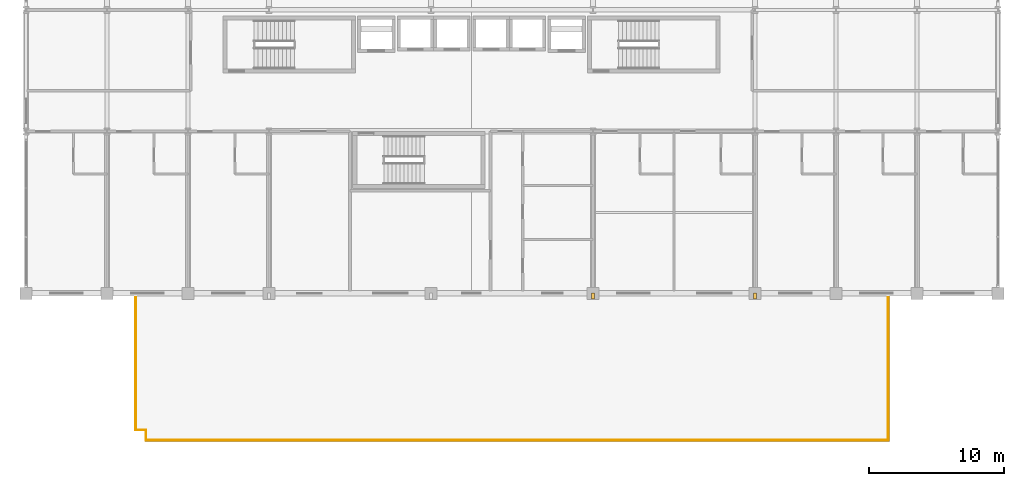
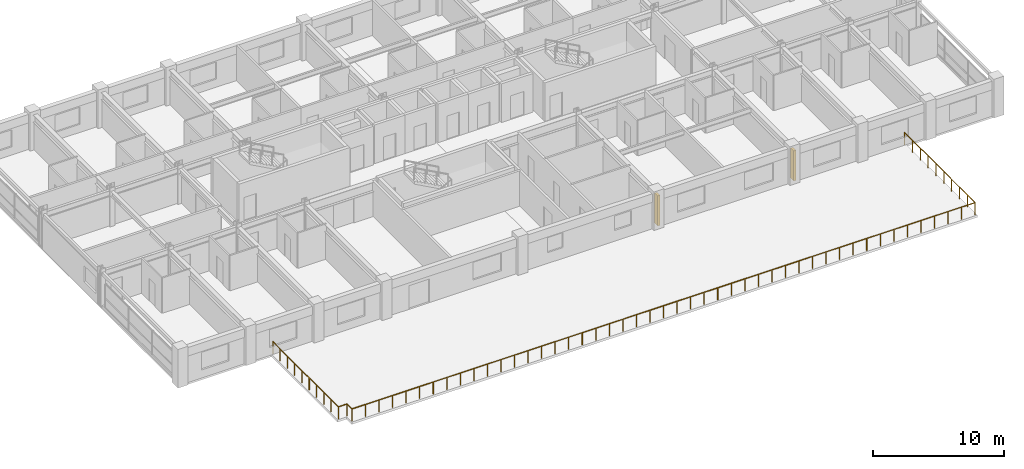
# One storey, part 23 of 24: 2 shading devices, 1 railing.
"""IFC4 building model written with IfcOpenShell, lengths in metres."""

from ifc_helpers import new_model, si_unit, direction, frame, origin, origin_2d, place, context, subcontext, project, spatial, rectangle, circle, extrude, material, type_object, element, save


model = new_model("IFC4")

# Units and contexts
model_context = context("Model", 3, precision=1e-05, world=origin(), true_north=direction((0.0, 1.0)))
body_context = subcontext(model_context, "Body", "Model", "MODEL_VIEW")
ifc_project = project(units=[si_unit("LENGTHUNIT", "METRE"), si_unit("AREAUNIT", "SQUARE_METRE"), si_unit("VOLUMEUNIT", "CUBIC_METRE"), si_unit("PLANEANGLEUNIT", "RADIAN"), si_unit("MASSUNIT", "GRAM", prefix="KILO")], contexts=[model_context])

# Site, building, storey
site_placement = place(None, origin())
site = spatial("IfcSite", under=ifc_project, at=site_placement, CompositionType="ELEMENT")
building_placement = place(site_placement, origin())
building = spatial("IfcBuilding", under=site, at=building_placement, Name="Kaldorvane Square Convention Centre", CompositionType="ELEMENT")
storey_placement = place(building_placement, frame((0.0, 0.0, 27.600006103515625)))
storey = spatial("IfcBuildingStorey", under=building, at=storey_placement, Name="L05", CompositionType="ELEMENT", Elevation=27.600006103515625)

# Railing
ifc_material_1 = material(Name="Architectural Painted Steel", Category="steel")
railing_type = type_object("IfcRailingType", Name="RL-TERR-1150", PredefinedType="BALUSTRADE", material=ifc_material_1)
railing_placement = place(storey_placement, frame((32.1199951171875, 83.89999389648438, 0.0)))
element("IfcRailing", 1, at=railing_placement, inside=storey, type_object=railing_type, Name="L05 Planted Podium Terrace Perimeter Guard", PredefinedType="BALUSTRADE", context=body_context, shape_type="SweptSolid", body=[
    extrude(circle(Radius=0.0240020751953125, at=origin_2d()), frame((0.0, 0.0, 1.1259918212890625), z_axis=(0.0, -1.0, 0.0), x_axis=(1.0, 0.0, 0.0)), (0.0, 0.0, 1.0), 10.019989013671875),
    extrude(circle(Radius=0.0240020751953125, at=origin_2d()), frame((0.0, -10.019989013671875, 1.1259918212890625), z_axis=(1.0, 0.0, 0.0), x_axis=(0.0, 1.0, 0.0)), (0.0, 0.0, 1.0), 0.760009765625),
    extrude(circle(Radius=0.0240020751953125, at=origin_2d()), frame((0.760009765625, -10.019989013671875, 1.1259918212890625), z_axis=(0.0, -1.0, 0.0), x_axis=(1.0, 0.0, 0.0)), (0.0, 0.0, 1.0), 0.760009765625),
    extrude(circle(Radius=0.0240020751953125, at=origin_2d()), frame((0.760009765625, -10.779998779296875, 1.1259918212890625), z_axis=(1.0, 0.0, 0.0), x_axis=(0.0, 1.0, 0.0)), (0.0, 0.0, 1.0), 55.0),
    extrude(circle(Radius=0.0240020751953125, at=origin_2d()), frame((55.760009765625, -10.779998779296875, 1.1259918212890625), z_axis=(0.0, 1.0, 0.0), x_axis=(-1.0, 0.0, 0.0)), (0.0, 0.0, 1.0), 10.779998779296875),
    extrude(circle(Radius=0.02099609375, at=origin_2d()), origin(), (0.0, 0.0, 1.0), 1.10198974609375),
    extrude(circle(Radius=0.02099609375, at=origin_2d()), frame((0.0, -1.1133270263671875, 0.0)), (0.0, 0.0, 1.0), 1.10198974609375),
    extrude(circle(Radius=0.02099609375, at=origin_2d()), frame((0.0, -2.2266693115234375, 0.0)), (0.0, 0.0, 1.0), 1.10198974609375),
    extrude(circle(Radius=0.02099609375, at=origin_2d()), frame((0.0, -3.339996337890625, 0.0)), (0.0, 0.0, 1.0), 1.10198974609375),
    extrude(circle(Radius=0.02099609375, at=origin_2d()), frame((0.0, -4.4533233642578125, 0.0)), (0.0, 0.0, 1.0), 1.10198974609375),
    extrude(circle(Radius=0.02099609375, at=origin_2d()), frame((0.0, -5.5666656494140625, 0.0)), (0.0, 0.0, 1.0), 1.10198974609375),
    extrude(circle(Radius=0.02099609375, at=origin_2d()), frame((0.0, -6.67999267578125, 0.0)), (0.0, 0.0, 1.0), 1.10198974609375),
    extrude(circle(Radius=0.02099609375, at=origin_2d()), frame((0.0, -7.7933197021484375, 0.0)), (0.0, 0.0, 1.0), 1.10198974609375),
    extrude(circle(Radius=0.02099609375, at=origin_2d()), frame((0.0, -8.906661987304688, 0.0)), (0.0, 0.0, 1.0), 1.10198974609375),
    extrude(circle(Radius=0.02099609375, at=origin_2d()), frame((0.0, -10.019989013671875, 0.0)), (0.0, 0.0, 1.0), 1.10198974609375),
    extrude(circle(Radius=0.02099609375, at=origin_2d()), frame((0.760009765625, -10.019989013671875, 0.0)), (0.0, 0.0, 1.0), 1.10198974609375),
    extrude(circle(Radius=0.02099609375, at=origin_2d()), frame((0.760009765625, -10.779998779296875, 0.0)), (0.0, 0.0, 1.0), 1.10198974609375),
    extrude(circle(Radius=0.02099609375, at=origin_2d()), frame((1.955657958984375, -10.779998779296875, 0.0)), (0.0, 0.0, 1.0), 1.10198974609375),
    extrude(circle(Radius=0.02099609375, at=origin_2d()), frame((3.1513214111328125, -10.779998779296875, 0.0)), (0.0, 0.0, 1.0), 1.10198974609375),
    extrude(circle(Radius=0.02099609375, at=origin_2d()), frame((4.3469696044921875, -10.779998779296875, 0.0)), (0.0, 0.0, 1.0), 1.10198974609375),
    extrude(circle(Radius=0.02099609375, at=origin_2d()), frame((5.5426177978515625, -10.779998779296875, 0.0)), (0.0, 0.0, 1.0), 1.10198974609375),
    extrude(circle(Radius=0.02099609375, at=origin_2d()), frame((6.7382659912109375, -10.779998779296875, 0.0)), (0.0, 0.0, 1.0), 1.10198974609375),
    extrude(circle(Radius=0.02099609375, at=origin_2d()), frame((7.933929443359375, -10.779998779296875, 0.0)), (0.0, 0.0, 1.0), 1.10198974609375),
    extrude(circle(Radius=0.02099609375, at=origin_2d()), frame((9.12957763671875, -10.779998779296875, 0.0)), (0.0, 0.0, 1.0), 1.10198974609375),
    extrude(circle(Radius=0.02099609375, at=origin_2d()), frame((10.325225830078125, -10.779998779296875, 0.0)), (0.0, 0.0, 1.0), 1.10198974609375),
    extrude(circle(Radius=0.02099609375, at=origin_2d()), frame((11.5208740234375, -10.779998779296875, 0.0)), (0.0, 0.0, 1.0), 1.10198974609375),
    extrude(circle(Radius=0.02099609375, at=origin_2d()), frame((12.716537475585938, -10.779998779296875, 0.0)), (0.0, 0.0, 1.0), 1.10198974609375),
    extrude(circle(Radius=0.02099609375, at=origin_2d()), frame((13.912185668945312, -10.779998779296875, 0.0)), (0.0, 0.0, 1.0), 1.10198974609375),
    extrude(circle(Radius=0.02099609375, at=origin_2d()), frame((15.107833862304688, -10.779998779296875, 0.0)), (0.0, 0.0, 1.0), 1.10198974609375),
    extrude(circle(Radius=0.02099609375, at=origin_2d()), frame((16.303482055664062, -10.779998779296875, 0.0)), (0.0, 0.0, 1.0), 1.10198974609375),
    extrude(circle(Radius=0.02099609375, at=origin_2d()), frame((17.4991455078125, -10.779998779296875, 0.0)), (0.0, 0.0, 1.0), 1.10198974609375),
    extrude(circle(Radius=0.02099609375, at=origin_2d()), frame((18.694793701171875, -10.779998779296875, 0.0)), (0.0, 0.0, 1.0), 1.10198974609375),
    extrude(circle(Radius=0.02099609375, at=origin_2d()), frame((19.89044189453125, -10.779998779296875, 0.0)), (0.0, 0.0, 1.0), 1.10198974609375),
    extrude(circle(Radius=0.02099609375, at=origin_2d()), frame((21.086090087890625, -10.779998779296875, 0.0)), (0.0, 0.0, 1.0), 1.10198974609375),
    extrude(circle(Radius=0.02099609375, at=origin_2d()), frame((22.281753540039062, -10.779998779296875, 0.0)), (0.0, 0.0, 1.0), 1.10198974609375),
    extrude(circle(Radius=0.02099609375, at=origin_2d()), frame((23.477401733398438, -10.779998779296875, 0.0)), (0.0, 0.0, 1.0), 1.10198974609375),
    extrude(circle(Radius=0.02099609375, at=origin_2d()), frame((24.673049926757812, -10.779998779296875, 0.0)), (0.0, 0.0, 1.0), 1.10198974609375),
    extrude(circle(Radius=0.02099609375, at=origin_2d()), frame((25.868698120117188, -10.779998779296875, 0.0)), (0.0, 0.0, 1.0), 1.10198974609375),
    extrude(circle(Radius=0.02099609375, at=origin_2d()), frame((27.064361572265625, -10.779998779296875, 0.0)), (0.0, 0.0, 1.0), 1.10198974609375),
    extrude(circle(Radius=0.02099609375, at=origin_2d()), frame((28.260009765625, -10.779998779296875, 0.0)), (0.0, 0.0, 1.0), 1.10198974609375),
    extrude(circle(Radius=0.02099609375, at=origin_2d()), frame((29.455657958984375, -10.779998779296875, 0.0)), (0.0, 0.0, 1.0), 1.10198974609375),
    extrude(circle(Radius=0.02099609375, at=origin_2d()), frame((30.651321411132812, -10.779998779296875, 0.0)), (0.0, 0.0, 1.0), 1.10198974609375),
    extrude(circle(Radius=0.02099609375, at=origin_2d()), frame((31.846969604492188, -10.779998779296875, 0.0)), (0.0, 0.0, 1.0), 1.10198974609375),
    extrude(circle(Radius=0.02099609375, at=origin_2d()), frame((33.04261779785156, -10.779998779296875, 0.0)), (0.0, 0.0, 1.0), 1.10198974609375),
    extrude(circle(Radius=0.02099609375, at=origin_2d()), frame((34.23826599121094, -10.779998779296875, 0.0)), (0.0, 0.0, 1.0), 1.10198974609375),
    extrude(circle(Radius=0.02099609375, at=origin_2d()), frame((35.433929443359375, -10.779998779296875, 0.0)), (0.0, 0.0, 1.0), 1.10198974609375),
    extrude(circle(Radius=0.02099609375, at=origin_2d()), frame((36.62957763671875, -10.779998779296875, 0.0)), (0.0, 0.0, 1.0), 1.10198974609375),
    extrude(circle(Radius=0.02099609375, at=origin_2d()), frame((37.825225830078125, -10.779998779296875, 0.0)), (0.0, 0.0, 1.0), 1.10198974609375),
    extrude(circle(Radius=0.02099609375, at=origin_2d()), frame((39.0208740234375, -10.779998779296875, 0.0)), (0.0, 0.0, 1.0), 1.10198974609375),
    extrude(circle(Radius=0.02099609375, at=origin_2d()), frame((40.21653747558594, -10.779998779296875, 0.0)), (0.0, 0.0, 1.0), 1.10198974609375),
    extrude(circle(Radius=0.02099609375, at=origin_2d()), frame((41.41218566894531, -10.779998779296875, 0.0)), (0.0, 0.0, 1.0), 1.10198974609375),
    extrude(circle(Radius=0.02099609375, at=origin_2d()), frame((42.60783386230469, -10.779998779296875, 0.0)), (0.0, 0.0, 1.0), 1.10198974609375),
    extrude(circle(Radius=0.02099609375, at=origin_2d()), frame((43.80348205566406, -10.779998779296875, 0.0)), (0.0, 0.0, 1.0), 1.10198974609375),
    extrude(circle(Radius=0.02099609375, at=origin_2d()), frame((44.9991455078125, -10.779998779296875, 0.0)), (0.0, 0.0, 1.0), 1.10198974609375),
    extrude(circle(Radius=0.02099609375, at=origin_2d()), frame((46.194793701171875, -10.779998779296875, 0.0)), (0.0, 0.0, 1.0), 1.10198974609375),
    extrude(circle(Radius=0.02099609375, at=origin_2d()), frame((47.39044189453125, -10.779998779296875, 0.0)), (0.0, 0.0, 1.0), 1.10198974609375),
    extrude(circle(Radius=0.02099609375, at=origin_2d()), frame((48.586090087890625, -10.779998779296875, 0.0)), (0.0, 0.0, 1.0), 1.10198974609375),
    extrude(circle(Radius=0.02099609375, at=origin_2d()), frame((49.78175354003906, -10.779998779296875, 0.0)), (0.0, 0.0, 1.0), 1.10198974609375),
    extrude(circle(Radius=0.02099609375, at=origin_2d()), frame((50.97740173339844, -10.779998779296875, 0.0)), (0.0, 0.0, 1.0), 1.10198974609375),
    extrude(circle(Radius=0.02099609375, at=origin_2d()), frame((52.17304992675781, -10.779998779296875, 0.0)), (0.0, 0.0, 1.0), 1.10198974609375),
    extrude(circle(Radius=0.02099609375, at=origin_2d()), frame((53.36869812011719, -10.779998779296875, 0.0)), (0.0, 0.0, 1.0), 1.10198974609375),
    extrude(circle(Radius=0.02099609375, at=origin_2d()), frame((54.564361572265625, -10.779998779296875, 0.0)), (0.0, 0.0, 1.0), 1.10198974609375),
    extrude(circle(Radius=0.02099609375, at=origin_2d()), frame((55.760009765625, -10.779998779296875, 0.0)), (0.0, 0.0, 1.0), 1.10198974609375),
    extrude(circle(Radius=0.02099609375, at=origin_2d()), frame((55.760009765625, -9.58221435546875, 0.0)), (0.0, 0.0, 1.0), 1.10198974609375),
    extrude(circle(Radius=0.02099609375, at=origin_2d()), frame((55.760009765625, -8.384445190429688, 0.0)), (0.0, 0.0, 1.0), 1.10198974609375),
    extrude(circle(Radius=0.02099609375, at=origin_2d()), frame((55.760009765625, -7.1866607666015625, 0.0)), (0.0, 0.0, 1.0), 1.10198974609375),
    extrude(circle(Radius=0.02099609375, at=origin_2d()), frame((55.760009765625, -5.9888916015625, 0.0)), (0.0, 0.0, 1.0), 1.10198974609375),
    extrude(circle(Radius=0.02099609375, at=origin_2d()), frame((55.760009765625, -4.791107177734375, 0.0)), (0.0, 0.0, 1.0), 1.10198974609375),
    extrude(circle(Radius=0.02099609375, at=origin_2d()), frame((55.760009765625, -3.5933380126953125, 0.0)), (0.0, 0.0, 1.0), 1.10198974609375),
    extrude(circle(Radius=0.02099609375, at=origin_2d()), frame((55.760009765625, -2.3955535888671875, 0.0)), (0.0, 0.0, 1.0), 1.10198974609375),
    extrude(circle(Radius=0.02099609375, at=origin_2d()), frame((55.760009765625, -1.197784423828125, 0.0)), (0.0, 0.0, 1.0), 1.10198974609375),
    extrude(circle(Radius=0.02099609375, at=origin_2d()), frame((55.760009765625, 0.0, 0.0)), (0.0, 0.0, 1.0), 1.10198974609375),
])

# Shading devices
ifc_material_2 = material(Name="Concrete f'c = 42 MPa (Normalweight) Precast", Category="concrete")
shading_device_type = type_object("IfcShadingDeviceType", Name="SD-FIN-450", PredefinedType="USERDEFINED", material=ifc_material_2)
for number, where, z_axis, x_axis, name in (
    (2, (66.0, 83.79499816894531, 0.29998779296875), (0.0, 0.0, 1.0), (1.0, 0.0, 0.0), "Brutalist Precast Solar Fin (L05)"),
    (3, (78.0, 83.79499816894531, 0.29998779296875), (0.0, 0.0, 1.0), (1.0, 0.0, 0.0), "Brutalist Precast Solar Fin (L05)"),
):
    element("IfcShadingDevice", number, at=place(storey_placement, frame(where, z_axis=z_axis, x_axis=x_axis)), inside=storey, type_object=shading_device_type, Name=name, ObjectType="LOUVRE", PredefinedType="USERDEFINED", context=body_context, shape_type="SweptSolid", body=[
        extrude(rectangle(XDim=0.220001220703125, YDim=0.4499969482421875, at=origin_2d()), origin(), (0.0, 0.0, 1.0), 2.8000030517578125),
    ])

save(model, "model.ifc")
